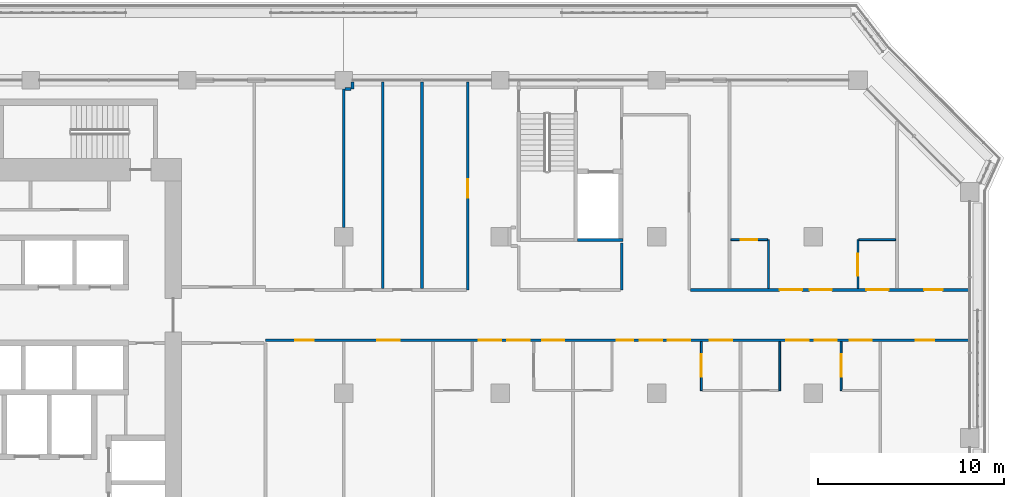
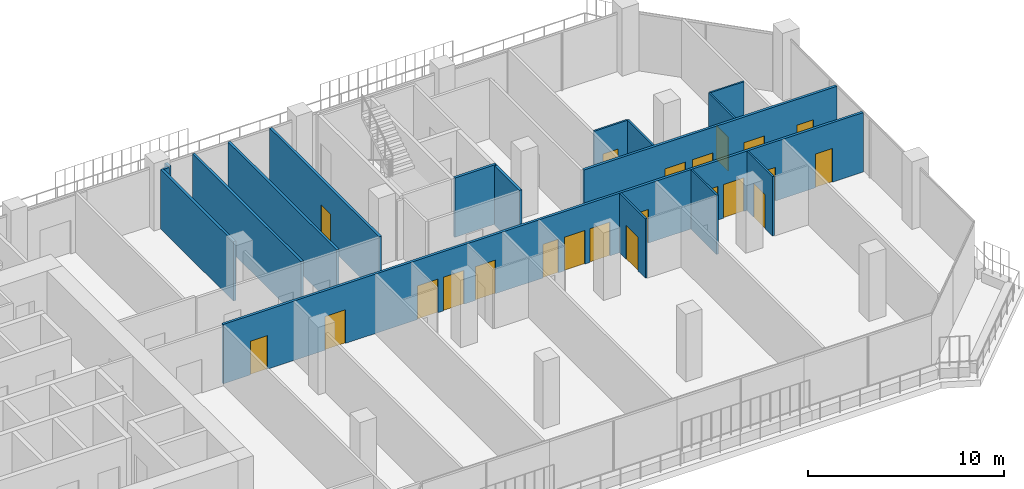
# One storey, part 13 of 22: 22 doors, 17 walls, 22 openings.
"""IFC4 building model written with IfcOpenShell, lengths in metres."""

import ifcopenshell
import ifcopenshell.guid

model = None  # the IFC model being written
_history = None  # IfcOwnerHistory: only IFC2X3 demands one
_inside = {}  # id of a spatial element -> (the spatial element, [elements in it])
_under = {}  # id of a project, library or spatial element -> (it, [spatial elements below it])
_declared = {}  # id of a project -> (the project, [libraries it declares])
_typed = {}  # id of a type object -> (the type object, [elements of that type])
_made_of = {}  # id of a material, layer set ... -> (it, [elements and type objects made of it])


def new_model(schema):
    """Start an empty IFC model of exactly this schema.

    Asked for "IFC4X3", IfcOpenShell would pick the latest addendum, in which some entities
    have other attributes; the version numbers below select the first issue.
    IFC2X3 requires an IfcOwnerHistory on every rooted entity: one is made here for all.
    """
    global model, _history
    if schema == "IFC4X3":
        model = ifcopenshell.file(schema_version=(4, 3, 0, 0))
    else:
        model = ifcopenshell.file(schema=schema)
    _inside.clear()
    _under.clear()
    _declared.clear()
    _typed.clear()
    _made_of.clear()
    _history = None
    if model.schema == "IFC2X3":
        org = make("IfcOrganization", Name="unknown")
        user = make(
            "IfcPersonAndOrganization",
            ThePerson=make("IfcPerson", FamilyName="unknown"),
            TheOrganization=org,
        )
        app = make(
            "IfcApplication",
            ApplicationDeveloper=org,
            Version="unknown",
            ApplicationFullName="unknown",
            ApplicationIdentifier="unknown",
        )
        _history = make(
            "IfcOwnerHistory",
            OwningUser=user,
            OwningApplication=app,
            ChangeAction="ADDED",
            CreationDate=0,
        )
    return model


def make(cls, **values):
    """One entity of the class cls with the attributes given. An attribute that is None is left unset."""
    return model.create_entity(
        cls, **{name: value for name, value in values.items() if value is not None}
    )


def rooted(cls, **values):
    """An entity with a GlobalId (a new one), such as an element, a storey or a relation."""
    return make(cls, GlobalId=ifcopenshell.guid.new(), OwnerHistory=_history, **values)


def si_unit(unit_type, name, prefix=None):
    """IfcSIUnit, for example si_unit("LENGTHUNIT", "METRE", prefix="MILLI")."""
    return make("IfcSIUnit", UnitType=unit_type, Prefix=prefix, Name=name)


def assignment(units):
    """IfcUnitAssignment: the units of a project."""
    return None if units is None else make("IfcUnitAssignment", Units=units)


def point(xyz):
    """IfcCartesianPoint."""
    return None if xyz is None else make("IfcCartesianPoint", Coordinates=xyz)


def direction(xyz):
    """IfcDirection."""
    return None if xyz is None else make("IfcDirection", DirectionRatios=xyz)


def frame(location, z_axis=None, x_axis=None):
    """IfcAxis2Placement3D, a coordinate frame: its origin and axes. An axis left out is left unset."""
    return make(
        "IfcAxis2Placement3D",
        Location=point(location),
        Axis=direction(z_axis),
        RefDirection=direction(x_axis),
    )


def frame_2d(location, x_axis=None):
    """IfcAxis2Placement2D, a coordinate frame in the plane: its origin and x axis."""
    return make(
        "IfcAxis2Placement2D", Location=point(location), RefDirection=direction(x_axis)
    )


def origin():
    """The frame at (0, 0, 0) with its axes left unset."""
    return frame((0.0, 0.0, 0.0))


def place(relative_to, where):
    """IfcLocalPlacement: puts the frame where relative to a parent placement (None: the world)."""
    return make(
        "IfcLocalPlacement", PlacementRelTo=relative_to, RelativePlacement=where
    )


def context(
    kind, dimensions, precision=None, world=None, true_north=None, identifier=None
):
    """IfcGeometricRepresentationContext, for example the 3D "Model" context."""
    return make(
        "IfcGeometricRepresentationContext",
        ContextIdentifier=identifier,
        ContextType=kind,
        CoordinateSpaceDimension=dimensions,
        Precision=precision,
        WorldCoordinateSystem=world,
        TrueNorth=true_north,
    )


def subcontext(parent, identifier, kind, view, scale=None):
    """IfcGeometricRepresentationSubContext, for example "Body" below "Model"."""
    return make(
        "IfcGeometricRepresentationSubContext",
        ContextIdentifier=identifier,
        ContextType=kind,
        ParentContext=parent,
        TargetScale=scale,
        TargetView=view,
    )


def project(units=None, contexts=None):
    """IfcProject with its units and contexts."""
    return rooted(
        "IfcProject",
        Name="project",
        RepresentationContexts=contexts,
        UnitsInContext=assignment(units),
    )


def spatial(cls, under=None, at=None, **own):
    """A site, building, storey or space (cls), placed at a placement, below another one or the project."""
    s = rooted(cls, ObjectPlacement=at, **own)
    if under is not None:
        _under.setdefault(under.id(), (under, []))[1].append(s)
    return s


def profile(cls, at=None, kind="AREA", **sizes):
    """A parametric profile (cls). Its sizes go by their IFC names, for example OverallWidth=200.0."""
    return make(cls, ProfileType=kind, Position=at, **sizes)


def rectangle(**sizes):
    """IfcRectangleProfileDef."""
    return profile("IfcRectangleProfileDef", **sizes)


def extrude(swept, where, along, depth):
    """IfcExtrudedAreaSolid: the profile swept, set in the frame where, extruded along a direction by depth."""
    return make(
        "IfcExtrudedAreaSolid",
        SweptArea=swept,
        Position=where,
        ExtrudedDirection=direction(along),
        Depth=depth,
    )


def shape(context_of_items, identifier, shape_type, items):
    """IfcShapeRepresentation: the items that make up one representation, for example the "Body"."""
    return make(
        "IfcShapeRepresentation",
        ContextOfItems=context_of_items,
        RepresentationIdentifier=identifier,
        RepresentationType=shape_type,
        Items=items,
    )


def material(Name=None, Category=None):
    """IfcMaterial."""
    return make("IfcMaterial", Name=Name, Category=Category)


def layer(
    of_material, thickness, ventilated=None, Name=None, Category=None, Priority=None
):
    """IfcMaterialLayer: one layer of a wall or slab, of a material (None: an air gap)."""
    return make(
        "IfcMaterialLayer",
        Material=of_material,
        LayerThickness=thickness,
        IsVentilated=ventilated,
        Name=Name,
        Category=Category,
        Priority=Priority,
    )


def layer_set(layers, Name=None):
    """IfcMaterialLayerSet."""
    return make("IfcMaterialLayerSet", MaterialLayers=layers, LayerSetName=Name)


def made_of(thing, what):
    """Note that an element or type object is made of a material, layer set ...; save() writes the relation."""
    if what is not None:
        _made_of.setdefault(what.id(), (what, []))[1].append(thing)
    return thing


def type_object(cls, material=None, **own):
    """A type object (cls), such as IfcWallType, which elements share."""
    return made_of(rooted(cls, **own), material)


def element(
    cls,
    number,
    at=None,
    inside=None,
    cuts=None,
    type_object=None,
    material=None,
    context=None,
    identifier="Body",
    shape_type=None,
    held_by="IfcProductDefinitionShape",
    body=None,
    shapes=None,
    **own,
):
    """One element of the class cls, such as IfcWall. Its Tag is "e" and its number.

    at: its placement. inside: the storey or other place that contains it. cuts: it is an
    opening in that element (IfcRelVoidsElement). A single representation is given by context,
    identifier, shape_type and body (its items); several are given by shapes. held_by: the class
    of the entity that holds the representations. save() writes the other relations.
    """
    e = rooted(cls, Tag="e%d" % number, ObjectPlacement=at, **own)
    if body is not None:
        shapes = [shape(context, identifier, shape_type, body)]
    if shapes is not None:
        e.Representation = make(held_by, Representations=shapes)
    if inside is not None:
        _inside.setdefault(inside.id(), (inside, []))[1].append(e)
    if cuts is not None:
        rooted(
            "IfcRelVoidsElement", RelatingBuildingElement=cuts, RelatedOpeningElement=e
        )
    if type_object is not None:
        _typed.setdefault(type_object.id(), (type_object, []))[1].append(e)
    return made_of(e, material)


def fill(opening, filler):
    """IfcRelFillsElement: the door or window that sits in an opening."""
    return rooted(
        "IfcRelFillsElement",
        RelatingOpeningElement=opening,
        RelatedBuildingElement=filler,
    )


def aggregate(whole, parts):
    """IfcRelAggregates: a whole, such as a stair, and the parts it consists of."""
    return rooted("IfcRelAggregates", RelatingObject=whole, RelatedObjects=parts)


def save(model, path):
    """Write the relations noted so far, then the file.

    IfcRelAggregates (storeys below a building ...), IfcRelContainedInSpatialStructure (elements
    in a storey), IfcRelDefinesByType, IfcRelAssociatesMaterial and IfcRelDeclares: one each for
    every whole, place, type object, material and project.
    """
    for whole, parts in _under.values():
        aggregate(whole, parts)
    for where, things in _inside.values():
        rooted(
            "IfcRelContainedInSpatialStructure",
            RelatedElements=things,
            RelatingStructure=where,
        )
    for kind, things in _typed.values():
        rooted("IfcRelDefinesByType", RelatedObjects=things, RelatingType=kind)
    for what, things in _made_of.values():
        rooted("IfcRelAssociatesMaterial", RelatedObjects=things, RelatingMaterial=what)
    for by, libraries in _declared.values():
        rooted("IfcRelDeclares", RelatingContext=by, RelatedDefinitions=libraries)
    model.write(path)


model = new_model("IFC4")

# Units and contexts
model_context = context("Model", 3, precision=1e-05, world=origin(), true_north=direction((0.0, 1.0)))
body_context = subcontext(model_context, "Body", "Model", "MODEL_VIEW")
ifc_project = project(units=[si_unit("LENGTHUNIT", "METRE"), si_unit("AREAUNIT", "SQUARE_METRE"), si_unit("VOLUMEUNIT", "CUBIC_METRE"), si_unit("PLANEANGLEUNIT", "RADIAN"), si_unit("MASSUNIT", "GRAM", prefix="KILO")], contexts=[model_context])

# Site, building, storey
site_placement = place(None, origin())
site = spatial("IfcSite", under=ifc_project, at=site_placement, CompositionType="ELEMENT")
building_placement = place(site_placement, origin())
building = spatial("IfcBuilding", under=site, at=building_placement, Name="Kawkab Arch Medical Tower", CompositionType="ELEMENT")
storey_placement = place(building_placement, frame((0.0, 0.0, 208.800048828125)))
storey = spatial("IfcBuildingStorey", under=building, at=storey_placement, Name="L48", CompositionType="ELEMENT", Elevation=208.800048828125)

# Wall, opening, door
ifc_material_1 = material(Name="Gypsum board partition on steel studs", Category="steel")
ifc_layer_1 = layer(ifc_material_1, 0.10009765625)
ifc_layer_set_1 = layer_set([ifc_layer_1], Name="Gypsum board partition on steel studs")
wall_type_1 = type_object("IfcWallType", Name="Partition 100", PredefinedType="PARTITIONING", material=ifc_layer_set_1)
wall_1_placement = place(storey_placement, frame((54.375, -8.550048828125, 0.0), z_axis=(0.0, 0.0, 1.0), x_axis=(1.0, 0.0, 0.0)))
wall_1 = element("IfcWall", 1, at=wall_1_placement, inside=storey, type_object=wall_type_1, Name="Partition 100 w008", PredefinedType="PARTITIONING", context=body_context, shape_type="SweptSolid", body=[
    extrude(rectangle(XDim=1.97509765625, YDim=0.10009765625, at=frame_2d((0.987548828125, 0.0))), origin(), (0.0, 0.0, 1.0), 3.699951171875),
])
opening_1_placement = place(wall_1_placement, frame((0.52490234375, 0.0, 0.0)))
opening_1 = element("IfcOpeningElement", 2, at=opening_1_placement, cuts=wall_1, Name="Opening W43-003", PredefinedType="OPENING", context=body_context, shape_type="SweptSolid", body=[
    extrude(rectangle(XDim=0.89990234375, YDim=2.10009765625, at=frame_2d((0.449951171875, 1.050048828125))), frame((0.0, 0.06005859375, 0.0), z_axis=(0.0, -1.0, 0.0), x_axis=(1.0, 0.0, 0.0)), (0.0, 0.0, 1.0), 0.1201171875),
])
ifc_material_2 = material(Name="Timber door leaf", Category="wood")
door_type_1 = type_object("IfcDoorType", Name="Single door 900x2100", OperationType="NOTDEFINED", PredefinedType="DOOR", material=ifc_material_2)
door_1_placement = place(opening_1_placement, origin())
door_1 = element("IfcDoor", 3, at=door_1_placement, inside=storey, type_object=door_type_1, Name="Door W43-003", OperationType="SINGLE_SWING_LEFT", OverallHeight=2.10009765625, OverallWidth=0.89990234375, PredefinedType="DOOR", context=body_context, shape_type="SweptSolid", body=[
    extrude(rectangle(XDim=0.89990234375, YDim=2.10009765625, at=frame_2d((0.449951171875, 1.050048828125))), frame((0.0, 0.02490234375, 0.0), z_axis=(0.0, -1.0, 0.0), x_axis=(1.0, 0.0, 0.0)), (0.0, 0.0, 1.0), 0.050048828125),
])
fill(opening_1, door_1)

# Wall
wall_2_placement = place(storey_placement, frame((61.25, -8.550048828125, 0.0), z_axis=(0.0, 0.0, 1.0), x_axis=(1.0, 0.0, 0.0)))
element("IfcWall", 4, at=wall_2_placement, inside=storey, type_object=wall_type_1, Name="Partition 100 w009", PredefinedType="PARTITIONING", context=body_context, shape_type="SweptSolid", body=[
    extrude(rectangle(XDim=1.97509765625, YDim=0.10009765625, at=frame_2d((0.987548828125, 0.0))), origin(), (0.0, 0.0, 1.0), 3.699951171875),
])

# Wall, opening, door
wall_3_placement = place(storey_placement, frame((52.800048828125, -16.64990234375, 0.0), z_axis=(0.0, 0.0, 1.0), x_axis=(0.0, 1.0, 0.0)))
wall_3 = element("IfcWall", 5, at=wall_3_placement, inside=storey, type_object=wall_type_1, Name="Partition 100 w016", PredefinedType="PARTITIONING", context=body_context, shape_type="SweptSolid", body=[
    extrude(rectangle(XDim=2.625, YDim=0.10009765625, at=frame_2d((1.3125, 0.0))), origin(), (0.0, 0.0, 1.0), 3.699951171875),
])
opening_2_placement = place(wall_3_placement, frame((0.75, 0.0, 0.0)))
opening_2 = element("IfcOpeningElement", 6, at=opening_2_placement, cuts=wall_3, Name="Opening W43-035", PredefinedType="OPENING", context=body_context, shape_type="SweptSolid", body=[
    extrude(rectangle(XDim=1.199951171875, YDim=2.10009765625, at=frame_2d((0.60009765625, 1.050048828125))), frame((0.0, 0.06005859375, 0.0), z_axis=(0.0, -1.0, 0.0), x_axis=(1.0, 0.0, 0.0)), (0.0, 0.0, 1.0), 0.1201171875),
])
ifc_material_3 = material(Name="Timber door leaf", Category="wood")
door_type_2 = type_object("IfcDoorType", Name="Single door 1200x2100", OperationType="NOTDEFINED", PredefinedType="DOOR", material=ifc_material_3)
door_2_placement = place(opening_2_placement, origin())
door_2 = element("IfcDoor", 7, at=door_2_placement, inside=storey, type_object=door_type_2, Name="Door W43-035", OperationType="SINGLE_SWING_RIGHT", OverallHeight=2.10009765625, OverallWidth=1.199951171875, PredefinedType="DOOR", context=body_context, shape_type="SweptSolid", body=[
    extrude(rectangle(XDim=1.199951171875, YDim=2.10009765625, at=frame_2d((0.60009765625, 1.050048828125))), frame((0.0, 0.02490234375, 0.0), z_axis=(0.0, -1.0, 0.0), x_axis=(1.0, 0.0, 0.0)), (0.0, 0.0, 1.0), 0.050048828125),
])
fill(opening_2, door_2)

# Walls
for number, where, z_axis, x_axis, name in (
    (8, (56.39990234375, -11.175048828125, 0.0), (0.0, 0.0, 1.0), (0.0, 1.0, 0.0), "Partition 100 w017"),
    (9, (57.0, -16.64990234375, 0.0), (0.0, 0.0, 1.0), (0.0, 1.0, 0.0), "Partition 100 w018"),
):
    element("IfcWall", number, at=place(storey_placement, frame(where, z_axis=z_axis, x_axis=x_axis)), inside=storey, type_object=wall_type_1, Name=name, PredefinedType="PARTITIONING", context=body_context, shape_type="SweptSolid", body=[
        extrude(rectangle(XDim=2.625, YDim=0.10009765625, at=frame_2d((1.3125, 0.0))), origin(), (0.0, 0.0, 1.0), 3.699951171875),
    ])

# Wall, opening, door
wall_4_placement = place(storey_placement, frame((60.300048828125, -16.64990234375, 0.0), z_axis=(0.0, 0.0, 1.0), x_axis=(0.0, 1.0, 0.0)))
wall_4 = element("IfcWall", 10, at=wall_4_placement, inside=storey, type_object=wall_type_1, Name="Partition 100 w019", PredefinedType="PARTITIONING", context=body_context, shape_type="SweptSolid", body=[
    extrude(rectangle(XDim=2.625, YDim=0.10009765625, at=frame_2d((1.3125, 0.0))), origin(), (0.0, 0.0, 1.0), 3.699951171875),
])
opening_3_placement = place(wall_4_placement, frame((0.75, 0.0, 0.0)))
opening_3 = element("IfcOpeningElement", 11, at=opening_3_placement, cuts=wall_4, Name="Opening W43-039", PredefinedType="OPENING", context=body_context, shape_type="SweptSolid", body=[
    extrude(rectangle(XDim=1.199951171875, YDim=2.10009765625, at=frame_2d((0.60009765625, 1.050048828125))), frame((0.0, 0.06005859375, 0.0), z_axis=(0.0, -1.0, 0.0), x_axis=(1.0, 0.0, 0.0)), (0.0, 0.0, 1.0), 0.1201171875),
])
door_3_placement = place(opening_3_placement, origin())
door_3 = element("IfcDoor", 12, at=door_3_placement, inside=storey, type_object=door_type_2, Name="Door W43-039", OperationType="SINGLE_SWING_LEFT", OverallHeight=2.10009765625, OverallWidth=1.199951171875, PredefinedType="DOOR", context=body_context, shape_type="SweptSolid", body=[
    extrude(rectangle(XDim=1.199951171875, YDim=2.10009765625, at=frame_2d((0.60009765625, 1.050048828125))), frame((0.0, 0.02490234375, 0.0), z_axis=(0.0, -1.0, 0.0), x_axis=(1.0, 0.0, 0.0)), (0.0, 0.0, 1.0), 0.050048828125),
])
fill(opening_3, door_3)

wall_5_placement = place(storey_placement, frame((61.199951171875, -11.175048828125, 0.0), z_axis=(0.0, 0.0, 1.0), x_axis=(0.0, 1.0, 0.0)))
wall_5 = element("IfcWall", 13, at=wall_5_placement, inside=storey, type_object=wall_type_1, Name="Partition 100 w020", PredefinedType="PARTITIONING", context=body_context, shape_type="SweptSolid", body=[
    extrude(rectangle(XDim=2.625, YDim=0.10009765625, at=frame_2d((1.3125, 0.0))), origin(), (0.0, 0.0, 1.0), 3.699951171875),
])
opening_4_placement = place(wall_5_placement, frame((0.675048828125, 0.0, 0.0)))
opening_4 = element("IfcOpeningElement", 14, at=opening_4_placement, cuts=wall_5, Name="Opening W43-026", PredefinedType="OPENING", context=body_context, shape_type="SweptSolid", body=[
    extrude(rectangle(XDim=1.199951171875, YDim=2.10009765625, at=frame_2d((0.60009765625, 1.050048828125))), frame((0.0, 0.06005859375, 0.0), z_axis=(0.0, -1.0, 0.0), x_axis=(1.0, 0.0, 0.0)), (0.0, 0.0, 1.0), 0.1201171875),
])
door_4_placement = place(opening_4_placement, origin())
door_4 = element("IfcDoor", 15, at=door_4_placement, inside=storey, type_object=door_type_2, Name="Door W43-026", OperationType="SINGLE_SWING_RIGHT", OverallHeight=2.10009765625, OverallWidth=1.199951171875, PredefinedType="DOOR", context=body_context, shape_type="SweptSolid", body=[
    extrude(rectangle(XDim=1.199951171875, YDim=2.10009765625, at=frame_2d((0.60009765625, 1.050048828125))), frame((0.0, 0.02490234375, 0.0), z_axis=(0.0, -1.0, 0.0), x_axis=(1.0, 0.0, 0.0)), (0.0, 0.0, 1.0), 0.050048828125),
])
fill(opening_4, door_4)

# Wall, openings, doors
ifc_material_4 = material(Name="Gypsum board partition on steel studs, mineral wool", Category="steel")
ifc_layer_2 = layer(ifc_material_4, 0.14990234375)
ifc_layer_set_2 = layer_set([ifc_layer_2], Name="Gypsum board partition on steel studs, mineral wool")
wall_type_2 = type_object("IfcWallType", Name="Partition 150", PredefinedType="PARTITIONING", material=ifc_layer_set_2)
wall_6_placement = place(storey_placement, frame((29.39990234375, -13.949951171875, 0.0), z_axis=(0.0, 0.0, 1.0), x_axis=(1.0, 0.0, 0.0)))
wall_6 = element("IfcWall", 16, at=wall_6_placement, inside=storey, type_object=wall_type_2, Name="Partition 150 w033", PredefinedType="PARTITIONING", context=body_context, shape_type="SweptSolid", body=[
    extrude(rectangle(XDim=37.72021484375, YDim=0.14990234375, at=frame_2d((18.860107421875, 0.0))), origin(), (0.0, 0.0, 1.0), 3.699951171875),
])
opening_5_placement = place(wall_6_placement, frame((1.60009765625, 0.0, 0.0)))
opening_5 = element("IfcOpeningElement", 17, at=opening_5_placement, cuts=wall_6, Name="Opening W43-016", PredefinedType="OPENING", context=body_context, shape_type="SweptSolid", body=[
    extrude(rectangle(XDim=1.0, YDim=2.10009765625, at=frame_2d((0.5, 1.050048828125))), frame((0.0, 0.0849609375, 0.0), z_axis=(0.0, -1.0, 0.0), x_axis=(1.0, 0.0, 0.0)), (0.0, 0.0, 1.0), 0.169921875),
])
opening_6_placement = place(wall_6_placement, frame((6.0, 0.0, 0.0)))
opening_6 = element("IfcOpeningElement", 18, at=opening_6_placement, cuts=wall_6, Name="Opening W43-027", PredefinedType="OPENING", context=body_context, shape_type="SweptSolid", body=[
    extrude(rectangle(XDim=1.199951171875, YDim=2.10009765625, at=frame_2d((0.60009765625, 1.050048828125))), frame((0.0, 0.0849609375, 0.0), z_axis=(0.0, -1.0, 0.0), x_axis=(1.0, 0.0, 0.0)), (0.0, 0.0, 1.0), 0.169921875),
])
opening_7_placement = place(wall_6_placement, frame((12.97509765625, 0.0, 0.0)))
opening_7 = element("IfcOpeningElement", 19, at=opening_7_placement, cuts=wall_6, Name="Opening W43-028", PredefinedType="OPENING", context=body_context, shape_type="SweptSolid", body=[
    extrude(rectangle(XDim=1.199951171875, YDim=2.10009765625, at=frame_2d((0.60009765625, 1.050048828125))), frame((0.0, 0.0849609375, 0.0), z_axis=(0.0, -1.0, 0.0), x_axis=(1.0, 0.0, 0.0)), (0.0, 0.0, 1.0), 0.169921875),
])
opening_8_placement = place(wall_6_placement, frame((11.449951171875, 0.0, 0.0)))
opening_8 = element("IfcOpeningElement", 20, at=opening_8_placement, cuts=wall_6, Name="Opening W43-029", PredefinedType="OPENING", context=body_context, shape_type="SweptSolid", body=[
    extrude(rectangle(XDim=1.199951171875, YDim=2.10009765625, at=frame_2d((0.60009765625, 1.050048828125))), frame((0.0, 0.0849609375, 0.0), z_axis=(0.0, -1.0, 0.0), x_axis=(1.0, 0.0, 0.0)), (0.0, 0.0, 1.0), 0.169921875),
])
opening_9_placement = place(wall_6_placement, frame((14.85009765625, 0.0, 0.0)))
opening_9 = element("IfcOpeningElement", 21, at=opening_9_placement, cuts=wall_6, Name="Opening W43-030", PredefinedType="OPENING", context=body_context, shape_type="SweptSolid", body=[
    extrude(rectangle(XDim=1.199951171875, YDim=2.10009765625, at=frame_2d((0.60009765625, 1.050048828125))), frame((0.0, 0.0849609375, 0.0), z_axis=(0.0, -1.0, 0.0), x_axis=(1.0, 0.0, 0.0)), (0.0, 0.0, 1.0), 0.169921875),
])
opening_10_placement = place(wall_6_placement, frame((21.60009765625, 0.0, 0.0)))
opening_10 = element("IfcOpeningElement", 22, at=opening_10_placement, cuts=wall_6, Name="Opening W43-032", PredefinedType="OPENING", context=body_context, shape_type="SweptSolid", body=[
    extrude(rectangle(XDim=1.199951171875, YDim=2.10009765625, at=frame_2d((0.60009765625, 1.050048828125))), frame((0.0, 0.0849609375, 0.0), z_axis=(0.0, -1.0, 0.0), x_axis=(1.0, 0.0, 0.0)), (0.0, 0.0, 1.0), 0.169921875),
])
opening_11_placement = place(wall_6_placement, frame((20.10009765625, 0.0, 0.0)))
opening_11 = element("IfcOpeningElement", 23, at=opening_11_placement, cuts=wall_6, Name="Opening W43-033", PredefinedType="OPENING", context=body_context, shape_type="SweptSolid", body=[
    extrude(rectangle(XDim=1.199951171875, YDim=2.10009765625, at=frame_2d((0.60009765625, 1.050048828125))), frame((0.0, 0.0849609375, 0.0), z_axis=(0.0, -1.0, 0.0), x_axis=(1.0, 0.0, 0.0)), (0.0, 0.0, 1.0), 0.169921875),
])
opening_12_placement = place(wall_6_placement, frame((18.85009765625, 0.0, 0.0)))
opening_12 = element("IfcOpeningElement", 24, at=opening_12_placement, cuts=wall_6, Name="Opening W43-010", PredefinedType="OPENING", context=body_context, shape_type="SweptSolid", body=[
    extrude(rectangle(XDim=0.89990234375, YDim=2.10009765625, at=frame_2d((0.449951171875, 1.050048828125))), frame((0.0, 0.0849609375, 0.0), z_axis=(0.0, -1.0, 0.0), x_axis=(1.0, 0.0, 0.0)), (0.0, 0.0, 1.0), 0.169921875),
])
opening_13_placement = place(wall_6_placement, frame((23.85009765625, 0.0, 0.0)))
opening_13 = element("IfcOpeningElement", 25, at=opening_13_placement, cuts=wall_6, Name="Opening W43-034", PredefinedType="OPENING", context=body_context, shape_type="SweptSolid", body=[
    extrude(rectangle(XDim=1.199951171875, YDim=2.10009765625, at=frame_2d((0.60009765625, 1.050048828125))), frame((0.0, 0.0849609375, 0.0), z_axis=(0.0, -1.0, 0.0), x_axis=(1.0, 0.0, 0.0)), (0.0, 0.0, 1.0), 0.169921875),
])
opening_14_placement = place(wall_6_placement, frame((29.47509765625, 0.0, 0.0)))
opening_14 = element("IfcOpeningElement", 26, at=opening_14_placement, cuts=wall_6, Name="Opening W43-036", PredefinedType="OPENING", context=body_context, shape_type="SweptSolid", body=[
    extrude(rectangle(XDim=1.199951171875, YDim=2.10009765625, at=frame_2d((0.60009765625, 1.050048828125))), frame((0.0, 0.0849609375, 0.0), z_axis=(0.0, -1.0, 0.0), x_axis=(1.0, 0.0, 0.0)), (0.0, 0.0, 1.0), 0.169921875),
])
opening_15_placement = place(wall_6_placement, frame((27.949951171875, 0.0, 0.0)))
opening_15 = element("IfcOpeningElement", 27, at=opening_15_placement, cuts=wall_6, Name="Opening W43-037", PredefinedType="OPENING", context=body_context, shape_type="SweptSolid", body=[
    extrude(rectangle(XDim=1.199951171875, YDim=2.10009765625, at=frame_2d((0.60009765625, 1.050048828125))), frame((0.0, 0.0849609375, 0.0), z_axis=(0.0, -1.0, 0.0), x_axis=(1.0, 0.0, 0.0)), (0.0, 0.0, 1.0), 0.169921875),
])
opening_16_placement = place(wall_6_placement, frame((31.35009765625, 0.0, 0.0)))
opening_16 = element("IfcOpeningElement", 28, at=opening_16_placement, cuts=wall_6, Name="Opening W43-038", PredefinedType="OPENING", context=body_context, shape_type="SweptSolid", body=[
    extrude(rectangle(XDim=1.199951171875, YDim=2.10009765625, at=frame_2d((0.60009765625, 1.050048828125))), frame((0.0, 0.0849609375, 0.0), z_axis=(0.0, -1.0, 0.0), x_axis=(1.0, 0.0, 0.0)), (0.0, 0.0, 1.0), 0.169921875),
])
opening_17_placement = place(wall_6_placement, frame((34.89990234375, 0.0, 0.0)))
opening_17 = element("IfcOpeningElement", 29, at=opening_17_placement, cuts=wall_6, Name="Opening W43-017", PredefinedType="OPENING", context=body_context, shape_type="SweptSolid", body=[
    extrude(rectangle(XDim=1.0, YDim=2.10009765625, at=frame_2d((0.5, 1.050048828125))), frame((0.0, 0.0849609375, 0.0), z_axis=(0.0, -1.0, 0.0), x_axis=(1.0, 0.0, 0.0)), (0.0, 0.0, 1.0), 0.169921875),
])
ifc_material_5 = material(Name="Hollow metal door leaf")
door_type_3 = type_object("IfcDoorType", Name="Single door 1000x2100 FD30S", OperationType="NOTDEFINED", PredefinedType="DOOR", material=ifc_material_5)
door_5_placement = place(opening_5_placement, origin())
door_5 = element("IfcDoor", 30, at=door_5_placement, inside=storey, type_object=door_type_3, Name="Door W43-016", OperationType="SINGLE_SWING_RIGHT", OverallHeight=2.10009765625, OverallWidth=1.0, PredefinedType="DOOR", context=body_context, shape_type="SweptSolid", body=[
    extrude(rectangle(XDim=1.0, YDim=2.10009765625, at=frame_2d((0.5, 1.050048828125))), frame((0.0, 0.02490234375, 0.0), z_axis=(0.0, -1.0, 0.0), x_axis=(1.0, 0.0, 0.0)), (0.0, 0.0, 1.0), 0.050048828125),
])
fill(opening_5, door_5)
door_6_placement = place(opening_17_placement, origin())
door_6 = element("IfcDoor", 31, at=door_6_placement, inside=storey, type_object=door_type_3, Name="Door W43-017", OperationType="SINGLE_SWING_LEFT", OverallHeight=2.10009765625, OverallWidth=1.0, PredefinedType="DOOR", context=body_context, shape_type="SweptSolid", body=[
    extrude(rectangle(XDim=1.0, YDim=2.10009765625, at=frame_2d((0.5, 1.050048828125))), frame((0.0, 0.02490234375, 0.0), z_axis=(0.0, -1.0, 0.0), x_axis=(1.0, 0.0, 0.0)), (0.0, 0.0, 1.0), 0.050048828125),
])
fill(opening_17, door_6)
ifc_material_6 = material(Name="Hollow metal door leaf")
door_type_4 = type_object("IfcDoorType", Name="Single door 1200x2100 FD30S", OperationType="NOTDEFINED", PredefinedType="DOOR", material=ifc_material_6)
door_7_placement = place(opening_6_placement, origin())
door_7 = element("IfcDoor", 32, at=door_7_placement, inside=storey, type_object=door_type_4, Name="Door W43-027", OperationType="SINGLE_SWING_RIGHT", OverallHeight=2.10009765625, OverallWidth=1.199951171875, PredefinedType="DOOR", context=body_context, shape_type="SweptSolid", body=[
    extrude(rectangle(XDim=1.199951171875, YDim=2.10009765625, at=frame_2d((0.60009765625, 1.050048828125))), frame((0.0, 0.02490234375, 0.0), z_axis=(0.0, -1.0, 0.0), x_axis=(1.0, 0.0, 0.0)), (0.0, 0.0, 1.0), 0.050048828125),
])
fill(opening_6, door_7)
door_8_placement = place(opening_7_placement, origin())
door_8 = element("IfcDoor", 33, at=door_8_placement, inside=storey, type_object=door_type_4, Name="Door W43-028", OperationType="SINGLE_SWING_RIGHT", OverallHeight=2.10009765625, OverallWidth=1.199951171875, PredefinedType="DOOR", context=body_context, shape_type="SweptSolid", body=[
    extrude(rectangle(XDim=1.199951171875, YDim=2.10009765625, at=frame_2d((0.60009765625, 1.050048828125))), frame((0.0, 0.02490234375, 0.0), z_axis=(0.0, -1.0, 0.0), x_axis=(1.0, 0.0, 0.0)), (0.0, 0.0, 1.0), 0.050048828125),
])
fill(opening_7, door_8)
door_9_placement = place(opening_8_placement, origin())
door_9 = element("IfcDoor", 34, at=door_9_placement, inside=storey, type_object=door_type_4, Name="Door W43-029", OperationType="SINGLE_SWING_RIGHT", OverallHeight=2.10009765625, OverallWidth=1.199951171875, PredefinedType="DOOR", context=body_context, shape_type="SweptSolid", body=[
    extrude(rectangle(XDim=1.199951171875, YDim=2.10009765625, at=frame_2d((0.60009765625, 1.050048828125))), frame((0.0, 0.02490234375, 0.0), z_axis=(0.0, -1.0, 0.0), x_axis=(1.0, 0.0, 0.0)), (0.0, 0.0, 1.0), 0.050048828125),
])
fill(opening_8, door_9)
door_10_placement = place(opening_9_placement, origin())
door_10 = element("IfcDoor", 35, at=door_10_placement, inside=storey, type_object=door_type_4, Name="Door W43-030", OperationType="SINGLE_SWING_RIGHT", OverallHeight=2.10009765625, OverallWidth=1.199951171875, PredefinedType="DOOR", context=body_context, shape_type="SweptSolid", body=[
    extrude(rectangle(XDim=1.199951171875, YDim=2.10009765625, at=frame_2d((0.60009765625, 1.050048828125))), frame((0.0, 0.02490234375, 0.0), z_axis=(0.0, -1.0, 0.0), x_axis=(1.0, 0.0, 0.0)), (0.0, 0.0, 1.0), 0.050048828125),
])
fill(opening_9, door_10)
door_11_placement = place(opening_10_placement, origin())
door_11 = element("IfcDoor", 36, at=door_11_placement, inside=storey, type_object=door_type_4, Name="Door W43-032", OperationType="SINGLE_SWING_LEFT", OverallHeight=2.10009765625, OverallWidth=1.199951171875, PredefinedType="DOOR", context=body_context, shape_type="SweptSolid", body=[
    extrude(rectangle(XDim=1.199951171875, YDim=2.10009765625, at=frame_2d((0.60009765625, 1.050048828125))), frame((0.0, 0.02490234375, 0.0), z_axis=(0.0, -1.0, 0.0), x_axis=(1.0, 0.0, 0.0)), (0.0, 0.0, 1.0), 0.050048828125),
])
fill(opening_10, door_11)
door_12_placement = place(opening_11_placement, origin())
door_12 = element("IfcDoor", 37, at=door_12_placement, inside=storey, type_object=door_type_4, Name="Door W43-033", OperationType="SINGLE_SWING_LEFT", OverallHeight=2.10009765625, OverallWidth=1.199951171875, PredefinedType="DOOR", context=body_context, shape_type="SweptSolid", body=[
    extrude(rectangle(XDim=1.199951171875, YDim=2.10009765625, at=frame_2d((0.60009765625, 1.050048828125))), frame((0.0, 0.02490234375, 0.0), z_axis=(0.0, -1.0, 0.0), x_axis=(1.0, 0.0, 0.0)), (0.0, 0.0, 1.0), 0.050048828125),
])
fill(opening_11, door_12)
door_13_placement = place(opening_13_placement, origin())
door_13 = element("IfcDoor", 38, at=door_13_placement, inside=storey, type_object=door_type_4, Name="Door W43-034", OperationType="SINGLE_SWING_LEFT", OverallHeight=2.10009765625, OverallWidth=1.199951171875, PredefinedType="DOOR", context=body_context, shape_type="SweptSolid", body=[
    extrude(rectangle(XDim=1.199951171875, YDim=2.10009765625, at=frame_2d((0.60009765625, 1.050048828125))), frame((0.0, 0.02490234375, 0.0), z_axis=(0.0, -1.0, 0.0), x_axis=(1.0, 0.0, 0.0)), (0.0, 0.0, 1.0), 0.050048828125),
])
fill(opening_13, door_13)
door_14_placement = place(opening_14_placement, origin())
door_14 = element("IfcDoor", 39, at=door_14_placement, inside=storey, type_object=door_type_4, Name="Door W43-036", OperationType="SINGLE_SWING_LEFT", OverallHeight=2.10009765625, OverallWidth=1.199951171875, PredefinedType="DOOR", context=body_context, shape_type="SweptSolid", body=[
    extrude(rectangle(XDim=1.199951171875, YDim=2.10009765625, at=frame_2d((0.60009765625, 1.050048828125))), frame((0.0, 0.02490234375, 0.0), z_axis=(0.0, -1.0, 0.0), x_axis=(1.0, 0.0, 0.0)), (0.0, 0.0, 1.0), 0.050048828125),
])
fill(opening_14, door_14)
door_15_placement = place(opening_15_placement, origin())
door_15 = element("IfcDoor", 40, at=door_15_placement, inside=storey, type_object=door_type_4, Name="Door W43-037", OperationType="SINGLE_SWING_LEFT", OverallHeight=2.10009765625, OverallWidth=1.199951171875, PredefinedType="DOOR", context=body_context, shape_type="SweptSolid", body=[
    extrude(rectangle(XDim=1.199951171875, YDim=2.10009765625, at=frame_2d((0.60009765625, 1.050048828125))), frame((0.0, 0.02490234375, 0.0), z_axis=(0.0, -1.0, 0.0), x_axis=(1.0, 0.0, 0.0)), (0.0, 0.0, 1.0), 0.050048828125),
])
fill(opening_15, door_15)
door_16_placement = place(opening_16_placement, origin())
door_16 = element("IfcDoor", 41, at=door_16_placement, inside=storey, type_object=door_type_4, Name="Door W43-038", OperationType="SINGLE_SWING_LEFT", OverallHeight=2.10009765625, OverallWidth=1.199951171875, PredefinedType="DOOR", context=body_context, shape_type="SweptSolid", body=[
    extrude(rectangle(XDim=1.199951171875, YDim=2.10009765625, at=frame_2d((0.60009765625, 1.050048828125))), frame((0.0, 0.02490234375, 0.0), z_axis=(0.0, -1.0, 0.0), x_axis=(1.0, 0.0, 0.0)), (0.0, 0.0, 1.0), 0.050048828125),
])
fill(opening_16, door_16)
ifc_material_7 = material(Name="Hollow metal door leaf")
door_type_5 = type_object("IfcDoorType", Name="Single door 900x2100 FD30S", OperationType="NOTDEFINED", PredefinedType="DOOR", material=ifc_material_7)
door_17_placement = place(opening_12_placement, origin())
door_17 = element("IfcDoor", 42, at=door_17_placement, inside=storey, type_object=door_type_5, Name="Door W43-010", OperationType="SINGLE_SWING_LEFT", OverallHeight=2.10009765625, OverallWidth=0.89990234375, PredefinedType="DOOR", context=body_context, shape_type="SweptSolid", body=[
    extrude(rectangle(XDim=0.89990234375, YDim=2.10009765625, at=frame_2d((0.449951171875, 1.050048828125))), frame((0.0, 0.02490234375, 0.0), z_axis=(0.0, -1.0, 0.0), x_axis=(1.0, 0.0, 0.0)), (0.0, 0.0, 1.0), 0.050048828125),
])
fill(opening_12, door_17)

wall_7_placement = place(storey_placement, frame((52.218017578125, -11.25, 0.0), z_axis=(0.0, 0.0, 1.0), x_axis=(1.0, 0.0, 0.0)))
wall_7 = element("IfcWall", 43, at=wall_7_placement, inside=storey, type_object=wall_type_2, Name="Partition 150 w036", PredefinedType="PARTITIONING", context=body_context, shape_type="SweptSolid", body=[
    extrude(rectangle(XDim=14.902099609375, YDim=0.14990234375, at=frame_2d((7.451171875, 0.0))), origin(), (0.0, 0.0, 1.0), 3.699951171875),
])
opening_18_placement = place(wall_7_placement, frame((4.781982421875, 0.0, 0.0)))
opening_18 = element("IfcOpeningElement", 44, at=opening_18_placement, cuts=wall_7, Name="Opening W43-023", PredefinedType="OPENING", context=body_context, shape_type="SweptSolid", body=[
    extrude(rectangle(XDim=1.199951171875, YDim=2.10009765625, at=frame_2d((0.60009765625, 1.050048828125))), frame((0.0, 0.0849609375, 0.0), z_axis=(0.0, -1.0, 0.0), x_axis=(1.0, 0.0, 0.0)), (0.0, 0.0, 1.0), 0.169921875),
])
opening_19_placement = place(wall_7_placement, frame((6.382080078125, 0.0, 0.0)))
opening_19 = element("IfcOpeningElement", 45, at=opening_19_placement, cuts=wall_7, Name="Opening W43-024", PredefinedType="OPENING", context=body_context, shape_type="SweptSolid", body=[
    extrude(rectangle(XDim=1.199951171875, YDim=2.10009765625, at=frame_2d((0.60009765625, 1.050048828125))), frame((0.0, 0.0849609375, 0.0), z_axis=(0.0, -1.0, 0.0), x_axis=(1.0, 0.0, 0.0)), (0.0, 0.0, 1.0), 0.169921875),
])
opening_20_placement = place(wall_7_placement, frame((9.431884765625, 0.0, 0.0)))
opening_20 = element("IfcOpeningElement", 46, at=opening_20_placement, cuts=wall_7, Name="Opening W43-025", PredefinedType="OPENING", context=body_context, shape_type="SweptSolid", body=[
    extrude(rectangle(XDim=1.199951171875, YDim=2.10009765625, at=frame_2d((0.60009765625, 1.050048828125))), frame((0.0, 0.0849609375, 0.0), z_axis=(0.0, -1.0, 0.0), x_axis=(1.0, 0.0, 0.0)), (0.0, 0.0, 1.0), 0.169921875),
])
opening_21_placement = place(wall_7_placement, frame((12.531982421875, 0.0, 0.0)))
opening_21 = element("IfcOpeningElement", 47, at=opening_21_placement, cuts=wall_7, Name="Opening W43-015", PredefinedType="OPENING", context=body_context, shape_type="SweptSolid", body=[
    extrude(rectangle(XDim=1.0, YDim=2.10009765625, at=frame_2d((0.5, 1.050048828125))), frame((0.0, 0.0849609375, 0.0), z_axis=(0.0, -1.0, 0.0), x_axis=(1.0, 0.0, 0.0)), (0.0, 0.0, 1.0), 0.169921875),
])
door_18_placement = place(opening_21_placement, origin())
door_18 = element("IfcDoor", 48, at=door_18_placement, inside=storey, type_object=door_type_3, Name="Door W43-015", OperationType="SINGLE_SWING_RIGHT", OverallHeight=2.10009765625, OverallWidth=1.0, PredefinedType="DOOR", context=body_context, shape_type="SweptSolid", body=[
    extrude(rectangle(XDim=1.0, YDim=2.10009765625, at=frame_2d((0.5, 1.050048828125))), frame((0.0, 0.02490234375, 0.0), z_axis=(0.0, -1.0, 0.0), x_axis=(1.0, 0.0, 0.0)), (0.0, 0.0, 1.0), 0.050048828125),
])
fill(opening_21, door_18)
door_19_placement = place(opening_18_placement, origin())
door_19 = element("IfcDoor", 49, at=door_19_placement, inside=storey, type_object=door_type_4, Name="Door W43-023", OperationType="SINGLE_SWING_LEFT", OverallHeight=2.10009765625, OverallWidth=1.199951171875, PredefinedType="DOOR", context=body_context, shape_type="SweptSolid", body=[
    extrude(rectangle(XDim=1.199951171875, YDim=2.10009765625, at=frame_2d((0.60009765625, 1.050048828125))), frame((0.0, 0.02490234375, 0.0), z_axis=(0.0, -1.0, 0.0), x_axis=(1.0, 0.0, 0.0)), (0.0, 0.0, 1.0), 0.050048828125),
])
fill(opening_18, door_19)
door_20_placement = place(opening_19_placement, origin())
door_20 = element("IfcDoor", 50, at=door_20_placement, inside=storey, type_object=door_type_4, Name="Door W43-024", OperationType="SINGLE_SWING_LEFT", OverallHeight=2.10009765625, OverallWidth=1.199951171875, PredefinedType="DOOR", context=body_context, shape_type="SweptSolid", body=[
    extrude(rectangle(XDim=1.199951171875, YDim=2.10009765625, at=frame_2d((0.60009765625, 1.050048828125))), frame((0.0, 0.02490234375, 0.0), z_axis=(0.0, -1.0, 0.0), x_axis=(1.0, 0.0, 0.0)), (0.0, 0.0, 1.0), 0.050048828125),
])
fill(opening_19, door_20)
door_21_placement = place(opening_20_placement, origin())
door_21 = element("IfcDoor", 51, at=door_21_placement, inside=storey, type_object=door_type_4, Name="Door W43-025", OperationType="SINGLE_SWING_RIGHT", OverallHeight=2.10009765625, OverallWidth=1.199951171875, PredefinedType="DOOR", context=body_context, shape_type="SweptSolid", body=[
    extrude(rectangle(XDim=1.199951171875, YDim=2.10009765625, at=frame_2d((0.60009765625, 1.050048828125))), frame((0.0, 0.02490234375, 0.0), z_axis=(0.0, -1.0, 0.0), x_axis=(1.0, 0.0, 0.0)), (0.0, 0.0, 1.0), 0.050048828125),
])
fill(opening_20, door_21)

# Walls
wall_8_placement = place(storey_placement, frame((33.677001953125, -0.47509765625, 0.0), z_axis=(0.0, 0.0, 1.0), x_axis=(1.0, 0.0, 0.0)))
element("IfcWall", 52, at=wall_8_placement, inside=storey, type_object=wall_type_2, Name="Partition 150 w042", PredefinedType="PARTITIONING", context=body_context, shape_type="SweptSolid", body=[
    extrude(rectangle(XDim=0.321044921875, YDim=0.14990234375, at=frame_2d((0.16064453125, 0.0))), origin(), (0.0, 0.0, 1.0), 3.699951171875),
])
wall_9_placement = place(storey_placement, frame((33.60009765625, -7.89990234375, 0.0), z_axis=(0.0, 0.0, 1.0), x_axis=(0.0, 1.0, 0.0)))
element("IfcWall", 53, at=wall_9_placement, inside=storey, type_object=wall_type_2, Name="Partition 150 w055", PredefinedType="PARTITIONING", context=body_context, shape_type="SweptSolid", body=[
    extrude(rectangle(XDim=7.4228515625, YDim=0.14990234375, at=frame_2d((3.71142578125, 0.0))), origin(), (0.0, 0.0, 1.0), 3.699951171875),
])
wall_10_placement = place(storey_placement, frame((34.074951171875, -0.472900390625, 0.0), z_axis=(0.0, 0.0, 1.0), x_axis=(0.0, 1.0, 0.0)))
element("IfcWall", 54, at=wall_10_placement, inside=storey, type_object=wall_type_2, Name="Partition 150 w056", PredefinedType="PARTITIONING", context=body_context, shape_type="SweptSolid", body=[
    extrude(rectangle(XDim=0.392822265625, YDim=0.14990234375, at=frame_2d((0.1962890625, 0.0))), origin(), (0.0, 0.0, 1.0), 3.699951171875),
])
for number, where, z_axis, x_axis, name in (
    (55, (35.699951171875, -11.175048828125, 0.0), (0.0, 0.0, 1.0), (0.0, 1.0, 0.0), "Partition 150 w057"),
    (56, (37.800048828125, -11.175048828125, 0.0), (0.0, 0.0, 1.0), (0.0, 1.0, 0.0), "Partition 150 w058"),
):
    element("IfcWall", number, at=place(storey_placement, frame(where, z_axis=z_axis, x_axis=x_axis)), inside=storey, type_object=wall_type_2, Name=name, PredefinedType="PARTITIONING", context=body_context, shape_type="SweptSolid", body=[
        extrude(rectangle(XDim=11.094970703125, YDim=0.14990234375, at=frame_2d((5.54736328125, 0.0))), origin(), (0.0, 0.0, 1.0), 3.699951171875),
    ])

# Wall, opening, door
wall_11_placement = place(storey_placement, frame((40.257080078125, -11.25, 0.0), z_axis=(0.0, 0.0, 1.0), x_axis=(0.0, 1.0, 0.0)))
wall_11 = element("IfcWall", 57, at=wall_11_placement, inside=storey, type_object=wall_type_2, Name="Partition 150 w060", PredefinedType="PARTITIONING", context=body_context, shape_type="SweptSolid", body=[
    extrude(rectangle(XDim=11.169921875, YDim=0.14990234375, at=frame_2d((5.5849609375, 0.0))), origin(), (0.0, 0.0, 1.0), 3.699951171875),
])
opening_22_placement = place(wall_11_placement, frame((4.949951171875, 0.0, 0.0)))
opening_22 = element("IfcOpeningElement", 58, at=opening_22_placement, cuts=wall_11, Name="Opening W43-021", PredefinedType="OPENING", context=body_context, shape_type="SweptSolid", body=[
    extrude(rectangle(XDim=1.0, YDim=2.10009765625, at=frame_2d((0.5, 1.050048828125))), frame((0.0, 0.0849609375, 0.0), z_axis=(0.0, -1.0, 0.0), x_axis=(1.0, 0.0, 0.0)), (0.0, 0.0, 1.0), 0.169921875),
])
door_22_placement = place(opening_22_placement, origin())
door_22 = element("IfcDoor", 59, at=door_22_placement, inside=storey, type_object=door_type_3, Name="Door W43-021", OperationType="SINGLE_SWING_LEFT", OverallHeight=2.10009765625, OverallWidth=1.0, PredefinedType="DOOR", context=body_context, shape_type="SweptSolid", body=[
    extrude(rectangle(XDim=1.0, YDim=2.10009765625, at=frame_2d((0.5, 1.050048828125))), frame((0.0, 0.02490234375, 0.0), z_axis=(0.0, -1.0, 0.0), x_axis=(1.0, 0.0, 0.0)), (0.0, 0.0, 1.0), 0.050048828125),
])
fill(opening_22, door_22)

# Walls
wall_12_placement = place(storey_placement, frame((48.52490234375, -11.25, 0.0), z_axis=(0.0, 0.0, 1.0), x_axis=(0.0, 1.0, 0.0)))
element("IfcWall", 60, at=wall_12_placement, inside=storey, type_object=wall_type_2, Name="Partition 150 w065", PredefinedType="PARTITIONING", context=body_context, shape_type="SweptSolid", body=[
    extrude(rectangle(XDim=2.52001953125, YDim=0.14990234375, at=frame_2d((1.260009765625, 0.0))), origin(), (0.0, 0.0, 1.0), 3.699951171875),
])
ifc_material_8 = material(Name="Concrete C50/60", Category="concrete")
ifc_layer_3 = layer(ifc_material_8, 0.14990234375)
ifc_layer_set_3 = layer_set([ifc_layer_3], Name="Concrete C50/60")
wall_type_3 = type_object("IfcWallType", Name="Stair enclosure wall 150 C50/60", PredefinedType="SHEAR", material=ifc_layer_set_3)
wall_13_placement = place(storey_placement, frame((46.14990234375, -8.574951171875, 0.0), z_axis=(0.0, 0.0, 1.0), x_axis=(1.0, 0.0, 0.0)))
element("IfcWall", 61, at=wall_13_placement, inside=storey, type_object=wall_type_3, Name="L48 stair enclosure wall", PredefinedType="SHEAR", context=body_context, shape_type="SweptSolid", body=[
    extrude(rectangle(XDim=2.4501953125, YDim=0.14990234375, at=frame_2d((1.22509765625, 0.0))), origin(), (0.0, 0.0, 1.0), 3.699951171875),
])

save(model, "model.ifc")
